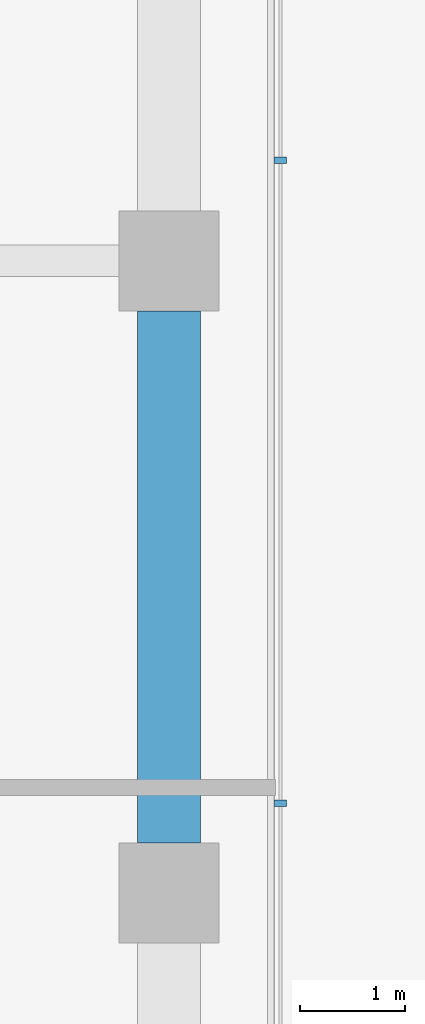
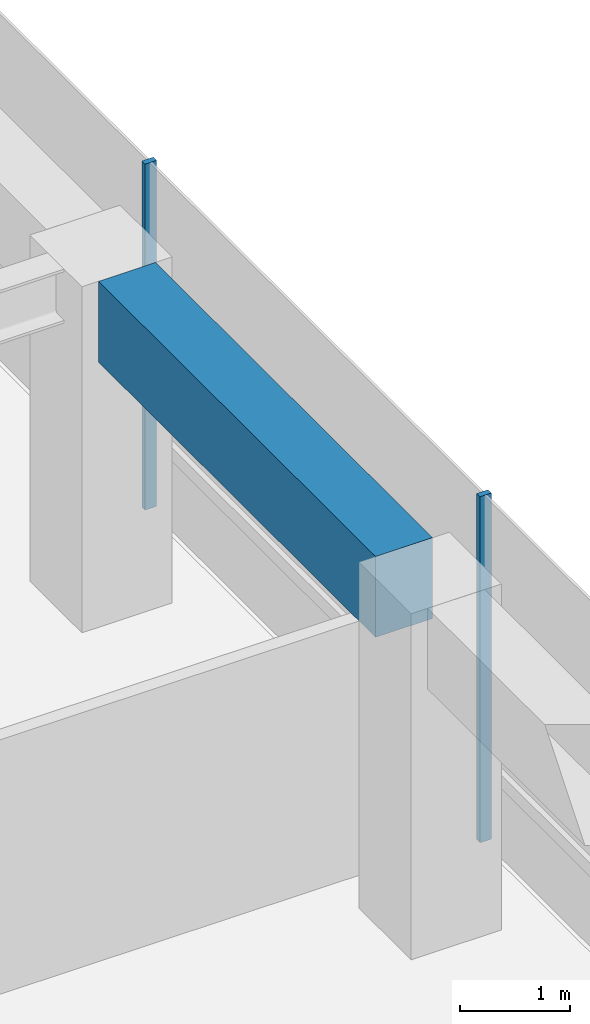
# One storey, part 19 of 29: 2 members, 1 beam, 1 element without a shape of its own.
"""IFC4 building model written with IfcOpenShell, lengths in metres."""

from ifc_helpers import new_model, si_unit, direction, frame, origin, origin_2d, place, context, subcontext, project, spatial, rectangle, extrude, material, layer, layer_set, material_profile, profile_set, type_object, element, aggregate, save


model = new_model("IFC4")

# Units and contexts
model_context = context("Model", 3, precision=1e-05, world=origin(), true_north=direction((0.0, 1.0)))
body_context = subcontext(model_context, "Body", "Model", "MODEL_VIEW")
ifc_project = project(units=[si_unit("LENGTHUNIT", "METRE"), si_unit("AREAUNIT", "SQUARE_METRE"), si_unit("VOLUMEUNIT", "CUBIC_METRE"), si_unit("PLANEANGLEUNIT", "RADIAN"), si_unit("MASSUNIT", "GRAM", prefix="KILO")], contexts=[model_context])

# Site, building, storey
site_placement = place(None, origin())
site = spatial("IfcSite", under=ifc_project, at=site_placement, CompositionType="ELEMENT")
building_placement = place(site_placement, origin())
building = spatial("IfcBuilding", under=site, at=building_placement, Name="Welwitschia Terrace Campus", CompositionType="ELEMENT")
storey_placement = place(building_placement, frame((0.0, 0.0, 62.60009765625)))
storey = spatial("IfcBuildingStorey", under=building, at=storey_placement, Name="L14", CompositionType="ELEMENT", Elevation=62.60009765625)

# Curtain wall, members
ifc_material_1 = material(Name="Bronze anodised aluminium", Category="aluminium")
ifc_layer = layer(ifc_material_1, 0.1201171875)
ifc_layer_set = layer_set([ifc_layer], Name="Bronze anodised aluminium")
curtain_wall_type = type_object("IfcCurtainWallType", Name="Curtain wall CW2 tower 6000", PredefinedType="NOTDEFINED", material=ifc_layer_set)
curtain_wall_placement = place(storey_placement, origin())
curtain_wall = element("IfcCurtainWall", 1, at=curtain_wall_placement, inside=storey, type_object=curtain_wall_type, Name="CW L14.10.0", PredefinedType="NOTDEFINED")
ifc_material_2 = material(Name="Bronze anodised aluminium", Category="aluminium")
ifc_material_profile_1 = material_profile(ifc_material_2, rectangle(XDim=0.1201171875, YDim=0.06005859375, at=origin_2d()))
ifc_profile_set_1 = profile_set([ifc_material_profile_1], Name="Bronze anodised aluminium")
member_type = type_object("IfcMemberType", Name="Mullion 60x120", PredefinedType="MULLION", material=ifc_profile_set_1)
member_1_placement = place(storey_placement, frame((25.05810546875, 50.851318359375, 0.0), z_axis=(0.0, 0.0, 1.0), x_axis=(-1.0, 0.0, 0.0)))
member_1 = element("IfcMember", 2, at=member_1_placement, type_object=member_type, Name="Mullion L14.10.0.4", PredefinedType="MULLION", context=body_context, shape_type="SweptSolid", body=[
    extrude(rectangle(XDim=0.1201171875, YDim=0.06005859375, at=origin_2d()), origin(), (0.0, 0.0, 1.0), 3.849853515625),
])
member_2_placement = place(storey_placement, frame((25.05810546875, 56.95458984375, 0.0), z_axis=(0.0, 0.0, 1.0), x_axis=(-1.0, 0.0, 0.0)))
member_2 = element("IfcMember", 3, at=member_2_placement, type_object=member_type, Name="Mullion L14.10.0.5", PredefinedType="MULLION", context=body_context, shape_type="SweptSolid", body=[
    extrude(rectangle(XDim=0.1201171875, YDim=0.06005859375, at=origin_2d()), origin(), (0.0, 0.0, 1.0), 3.849853515625),
])
aggregate(curtain_wall, [member_1, member_2])

# Beam
ifc_material_3 = material(Name="Concrete C60/75", Category="concrete")
ifc_material_profile_2 = material_profile(ifc_material_3, rectangle(XDim=0.60009765625, YDim=0.89990234375, at=origin_2d()))
ifc_profile_set_2 = profile_set([ifc_material_profile_2], Name="Concrete C60/75")
beam_type = type_object("IfcBeamType", Name="Ring spandrel 600x900", PredefinedType="SPANDREL", material=ifc_profile_set_2)
beam_placement = place(storey_placement, frame((24.0, 50.4755859375, 3.39990234375), z_axis=(0.0, 1.0, 0.0), x_axis=(-1.0, 0.0, 0.0)))
element("IfcBeam", 4, at=beam_placement, inside=storey, type_object=beam_type, Name="Spandrel SP2", PredefinedType="SPANDREL", context=body_context, shape_type="SweptSolid", body=[
    extrude(rectangle(XDim=0.60009765625, YDim=0.89990234375, at=origin_2d()), origin(), (0.0, 0.0, 1.0), 5.048828125),
])

save(model, "model.ifc")
